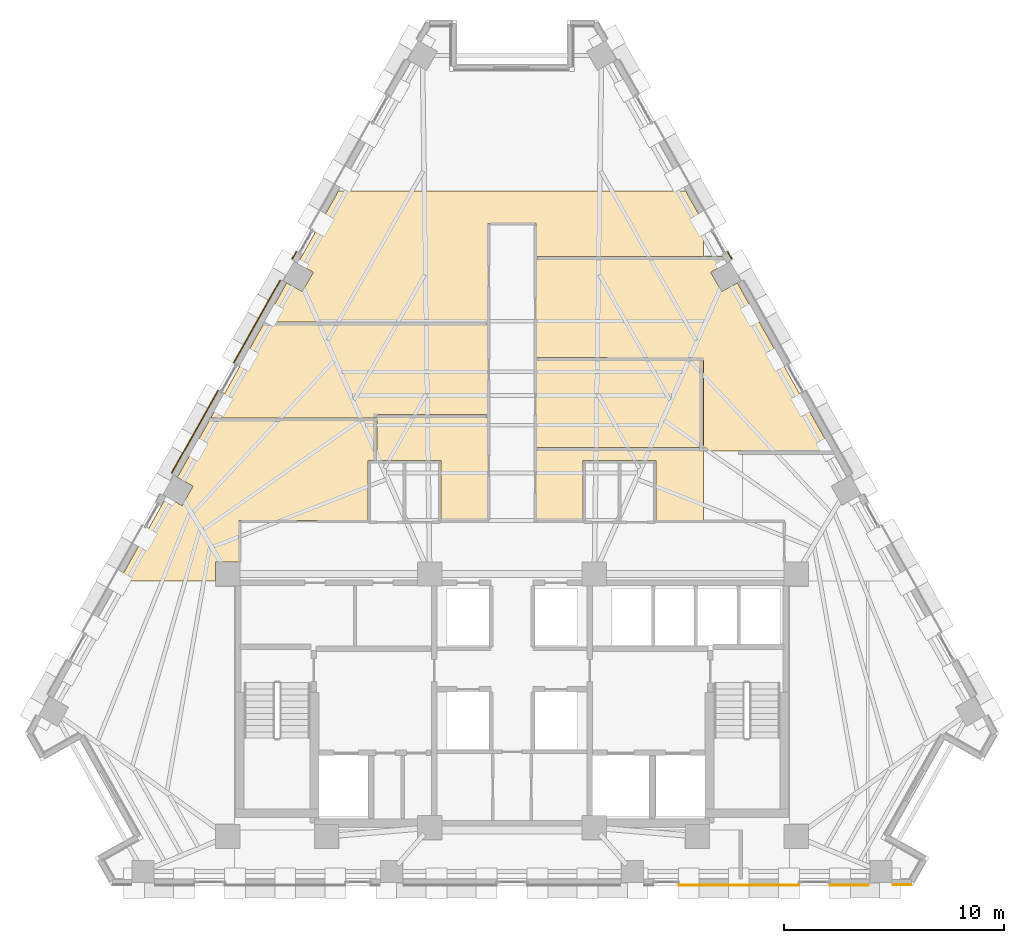
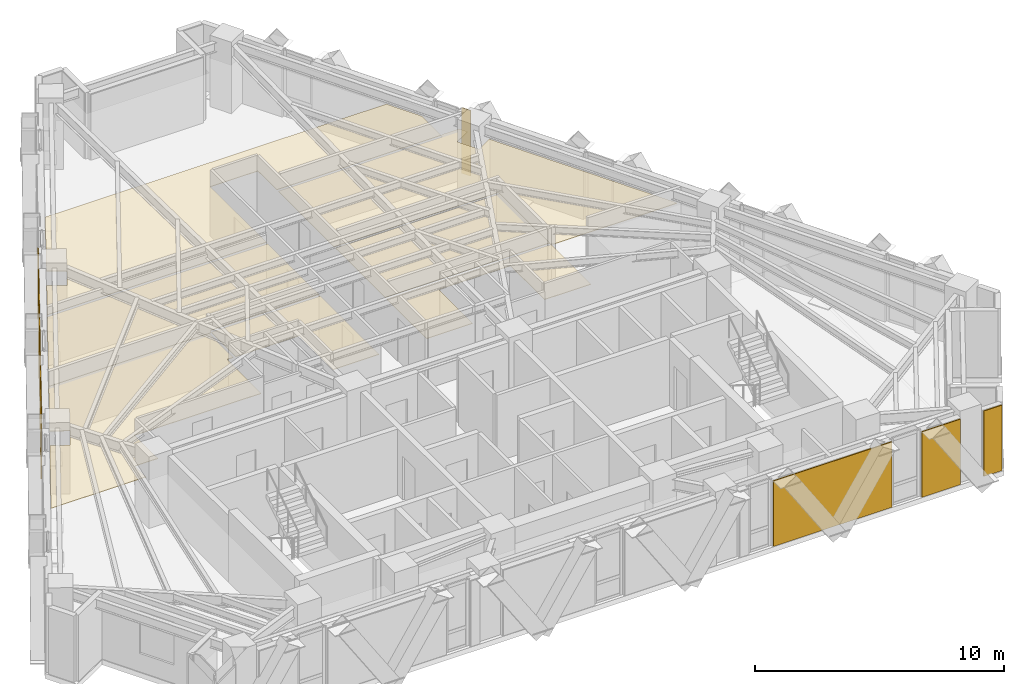
# One storey, part 12 of 14: 14 coverings.
"""IFC4 building model written with IfcOpenShell, lengths in metres."""

import ifcopenshell
import ifcopenshell.guid

model = None  # the IFC model being written
_history = None  # IfcOwnerHistory: only IFC2X3 demands one
_inside = {}  # id of a spatial element -> (the spatial element, [elements in it])
_under = {}  # id of a project, library or spatial element -> (it, [spatial elements below it])
_declared = {}  # id of a project -> (the project, [libraries it declares])
_typed = {}  # id of a type object -> (the type object, [elements of that type])
_made_of = {}  # id of a material, layer set ... -> (it, [elements and type objects made of it])


def new_model(schema):
    """Start an empty IFC model of exactly this schema.

    Asked for "IFC4X3", IfcOpenShell would pick the latest addendum, in which some entities
    have other attributes; the version numbers below select the first issue.
    IFC2X3 requires an IfcOwnerHistory on every rooted entity: one is made here for all.
    """
    global model, _history
    if schema == "IFC4X3":
        model = ifcopenshell.file(schema_version=(4, 3, 0, 0))
    else:
        model = ifcopenshell.file(schema=schema)
    _inside.clear()
    _under.clear()
    _declared.clear()
    _typed.clear()
    _made_of.clear()
    _history = None
    if model.schema == "IFC2X3":
        org = make("IfcOrganization", Name="unknown")
        user = make(
            "IfcPersonAndOrganization",
            ThePerson=make("IfcPerson", FamilyName="unknown"),
            TheOrganization=org,
        )
        app = make(
            "IfcApplication",
            ApplicationDeveloper=org,
            Version="unknown",
            ApplicationFullName="unknown",
            ApplicationIdentifier="unknown",
        )
        _history = make(
            "IfcOwnerHistory",
            OwningUser=user,
            OwningApplication=app,
            ChangeAction="ADDED",
            CreationDate=0,
        )
    return model


def make(cls, **values):
    """One entity of the class cls with the attributes given. An attribute that is None is left unset."""
    return model.create_entity(
        cls, **{name: value for name, value in values.items() if value is not None}
    )


def rooted(cls, **values):
    """An entity with a GlobalId (a new one), such as an element, a storey or a relation."""
    return make(cls, GlobalId=ifcopenshell.guid.new(), OwnerHistory=_history, **values)


def si_unit(unit_type, name, prefix=None):
    """IfcSIUnit, for example si_unit("LENGTHUNIT", "METRE", prefix="MILLI")."""
    return make("IfcSIUnit", UnitType=unit_type, Prefix=prefix, Name=name)


def assignment(units):
    """IfcUnitAssignment: the units of a project."""
    return None if units is None else make("IfcUnitAssignment", Units=units)


def point(xyz):
    """IfcCartesianPoint."""
    return None if xyz is None else make("IfcCartesianPoint", Coordinates=xyz)


def direction(xyz):
    """IfcDirection."""
    return None if xyz is None else make("IfcDirection", DirectionRatios=xyz)


def frame(location, z_axis=None, x_axis=None):
    """IfcAxis2Placement3D, a coordinate frame: its origin and axes. An axis left out is left unset."""
    return make(
        "IfcAxis2Placement3D",
        Location=point(location),
        Axis=direction(z_axis),
        RefDirection=direction(x_axis),
    )


def origin():
    """The frame at (0, 0, 0) with its axes left unset."""
    return frame((0.0, 0.0, 0.0))


def place(relative_to, where):
    """IfcLocalPlacement: puts the frame where relative to a parent placement (None: the world)."""
    return make(
        "IfcLocalPlacement", PlacementRelTo=relative_to, RelativePlacement=where
    )


def context(
    kind, dimensions, precision=None, world=None, true_north=None, identifier=None
):
    """IfcGeometricRepresentationContext, for example the 3D "Model" context."""
    return make(
        "IfcGeometricRepresentationContext",
        ContextIdentifier=identifier,
        ContextType=kind,
        CoordinateSpaceDimension=dimensions,
        Precision=precision,
        WorldCoordinateSystem=world,
        TrueNorth=true_north,
    )


def subcontext(parent, identifier, kind, view, scale=None):
    """IfcGeometricRepresentationSubContext, for example "Body" below "Model"."""
    return make(
        "IfcGeometricRepresentationSubContext",
        ContextIdentifier=identifier,
        ContextType=kind,
        ParentContext=parent,
        TargetScale=scale,
        TargetView=view,
    )


def project(units=None, contexts=None):
    """IfcProject with its units and contexts."""
    return rooted(
        "IfcProject",
        Name="project",
        RepresentationContexts=contexts,
        UnitsInContext=assignment(units),
    )


def spatial(cls, under=None, at=None, **own):
    """A site, building, storey or space (cls), placed at a placement, below another one or the project."""
    s = rooted(cls, ObjectPlacement=at, **own)
    if under is not None:
        _under.setdefault(under.id(), (under, []))[1].append(s)
    return s


def polyline(points):
    """IfcPolyline through the points."""
    return make("IfcPolyline", Points=[point(p) for p in points])


def outline(outer, holes=None, kind="AREA"):
    """IfcArbitraryClosedProfileDef: a profile drawn as a closed curve; with holes, ...WithVoids."""
    if holes is None:
        return make("IfcArbitraryClosedProfileDef", ProfileType=kind, OuterCurve=outer)
    return make(
        "IfcArbitraryProfileDefWithVoids",
        ProfileType=kind,
        OuterCurve=outer,
        InnerCurves=holes,
    )


def extrude(swept, where, along, depth):
    """IfcExtrudedAreaSolid: the profile swept, set in the frame where, extruded along a direction by depth."""
    return make(
        "IfcExtrudedAreaSolid",
        SweptArea=swept,
        Position=where,
        ExtrudedDirection=direction(along),
        Depth=depth,
    )


def shape(context_of_items, identifier, shape_type, items):
    """IfcShapeRepresentation: the items that make up one representation, for example the "Body"."""
    return make(
        "IfcShapeRepresentation",
        ContextOfItems=context_of_items,
        RepresentationIdentifier=identifier,
        RepresentationType=shape_type,
        Items=items,
    )


def material(Name=None, Category=None):
    """IfcMaterial."""
    return make("IfcMaterial", Name=Name, Category=Category)


def layer(
    of_material, thickness, ventilated=None, Name=None, Category=None, Priority=None
):
    """IfcMaterialLayer: one layer of a wall or slab, of a material (None: an air gap)."""
    return make(
        "IfcMaterialLayer",
        Material=of_material,
        LayerThickness=thickness,
        IsVentilated=ventilated,
        Name=Name,
        Category=Category,
        Priority=Priority,
    )


def layer_set(layers, Name=None):
    """IfcMaterialLayerSet."""
    return make("IfcMaterialLayerSet", MaterialLayers=layers, LayerSetName=Name)


def made_of(thing, what):
    """Note that an element or type object is made of a material, layer set ...; save() writes the relation."""
    if what is not None:
        _made_of.setdefault(what.id(), (what, []))[1].append(thing)
    return thing


def type_object(cls, material=None, **own):
    """A type object (cls), such as IfcWallType, which elements share."""
    return made_of(rooted(cls, **own), material)


def element(
    cls,
    number,
    at=None,
    inside=None,
    cuts=None,
    type_object=None,
    material=None,
    context=None,
    identifier="Body",
    shape_type=None,
    held_by="IfcProductDefinitionShape",
    body=None,
    shapes=None,
    **own,
):
    """One element of the class cls, such as IfcWall. Its Tag is "e" and its number.

    at: its placement. inside: the storey or other place that contains it. cuts: it is an
    opening in that element (IfcRelVoidsElement). A single representation is given by context,
    identifier, shape_type and body (its items); several are given by shapes. held_by: the class
    of the entity that holds the representations. save() writes the other relations.
    """
    e = rooted(cls, Tag="e%d" % number, ObjectPlacement=at, **own)
    if body is not None:
        shapes = [shape(context, identifier, shape_type, body)]
    if shapes is not None:
        e.Representation = make(held_by, Representations=shapes)
    if inside is not None:
        _inside.setdefault(inside.id(), (inside, []))[1].append(e)
    if cuts is not None:
        rooted(
            "IfcRelVoidsElement", RelatingBuildingElement=cuts, RelatedOpeningElement=e
        )
    if type_object is not None:
        _typed.setdefault(type_object.id(), (type_object, []))[1].append(e)
    return made_of(e, material)


def aggregate(whole, parts):
    """IfcRelAggregates: a whole, such as a stair, and the parts it consists of."""
    return rooted("IfcRelAggregates", RelatingObject=whole, RelatedObjects=parts)


def save(model, path):
    """Write the relations noted so far, then the file.

    IfcRelAggregates (storeys below a building ...), IfcRelContainedInSpatialStructure (elements
    in a storey), IfcRelDefinesByType, IfcRelAssociatesMaterial and IfcRelDeclares: one each for
    every whole, place, type object, material and project.
    """
    for whole, parts in _under.values():
        aggregate(whole, parts)
    for where, things in _inside.values():
        rooted(
            "IfcRelContainedInSpatialStructure",
            RelatedElements=things,
            RelatingStructure=where,
        )
    for kind, things in _typed.values():
        rooted("IfcRelDefinesByType", RelatedObjects=things, RelatingType=kind)
    for what, things in _made_of.values():
        rooted("IfcRelAssociatesMaterial", RelatedObjects=things, RelatingMaterial=what)
    for by, libraries in _declared.values():
        rooted("IfcRelDeclares", RelatingContext=by, RelatedDefinitions=libraries)
    model.write(path)


model = new_model("IFC4")

# Units and contexts
model_context = context("Model", 3, precision=1e-05, world=origin(), true_north=direction((0.0, 1.0)))
body_context = subcontext(model_context, "Body", "Model", "MODEL_VIEW")
ifc_project = project(units=[si_unit("LENGTHUNIT", "METRE"), si_unit("AREAUNIT", "SQUARE_METRE"), si_unit("VOLUMEUNIT", "CUBIC_METRE"), si_unit("PLANEANGLEUNIT", "RADIAN"), si_unit("MASSUNIT", "GRAM", prefix="KILO")], contexts=[model_context])

# Site, building, storey
site_placement = place(None, origin())
site = spatial("IfcSite", under=ifc_project, at=site_placement, CompositionType="ELEMENT")
building_placement = place(site_placement, origin())
building = spatial("IfcBuilding", under=site, at=building_placement, Name="Quenlor Broadcast Tower", CompositionType="ELEMENT")
storey_placement = place(building_placement, frame((0.0, 0.0, 140.5)))
storey = spatial("IfcBuildingStorey", under=building, at=storey_placement, Name="L38", CompositionType="ELEMENT", Elevation=140.5)

# Coverings
ifc_material_1 = material(Name="Acoustic Mineral Fibre Board", Category="other")
ifc_layer_1 = layer(ifc_material_1, 0.02490234375)
ifc_layer_set_1 = layer_set([ifc_layer_1], Name="Acoustic Perforated Mineral Tile Ceiling 25")
covering_type_1 = type_object("IfcCoveringType", Name="Acoustic Perforated Mineral Tile Ceiling 25", PredefinedType="CEILING", material=ifc_layer_set_1)
covering_1_placement = place(storey_placement, frame((0.0, 0.0, 2.375)))
element("IfcCovering", 1, at=covering_1_placement, inside=storey, type_object=covering_type_1, Name="L38 Acoustic Ceiling L38-31", PredefinedType="CEILING", context=body_context, shape_type="SweptSolid", body=[
    extrude(outline(polyline([(8.719970703125, 11.204345703125), (8.719970703125, 9.659912109375), (1.10009765625, 9.659912109375), (1.10009765625, 11.179931640625), (-1.10009765625, 11.179931640625), (-1.10009765625, 6.685302734375), (-11.261962890625, 6.685302734375), (-10.26220703125, 8.46240234375), (-9.54931640625, 8.0615234375), (-9.05126953125, 8.947021484375), (-9.76416015625, 9.347900390625), (-7.90673828125, 12.64990234375), (7.90673828125, 12.64990234375), (8.719970703125, 11.204345703125)])), origin(), (0.0, 0.0, 1.0), 0.02490234375),
])
covering_2_placement = place(storey_placement, frame((0.0, 0.0, 2.375)))
element("IfcCovering", 2, at=covering_2_placement, inside=storey, type_object=covering_type_1, Name="L38 Acoustic Ceiling L38-32", PredefinedType="CEILING", context=body_context, shape_type="SweptSolid", body=[
    extrude(outline(polyline([(14.482421875, 0.81005859375), (8.840087890625, 0.81005859375), (8.810791015625, 0.81298828125), (8.78271484375, 0.8212890625), (8.756591796875, 0.835205078125), (8.73388671875, 0.85400390625), (8.71533203125, 0.876708984375), (8.701416015625, 0.902587890625), (8.69287109375, 0.9306640625), (8.68994140625, 0.9599609375), (8.68994140625, 4.93994140625), (8.69287109375, 4.96923828125), (8.701416015625, 4.997314453125), (8.696533203125, 5.0166015625), (8.690673828125, 5.04541015625), (1.10009765625, 5.06005859375), (1.10009765625, 9.5400390625), (8.68994140625, 9.5400390625), (8.69287109375, 9.5693359375), (8.701416015625, 9.597412109375), (8.71533203125, 9.623291015625), (8.73388671875, 9.64599609375), (8.756591796875, 9.664794921875), (8.78271484375, 9.6787109375), (8.810791015625, 9.68701171875), (8.840087890625, 9.68994140625), (9.57177734375, 9.68994140625), (9.76416015625, 9.347900390625), (9.05126953125, 8.947021484375), (9.54931640625, 8.0615234375), (10.26220703125, 8.46240234375), (12.052978515625, 5.27880859375), (12.1591796875, 5.090087890625), (14.555908203125, 0.829345703125), (14.540283203125, 0.82177734375), (14.511962890625, 0.81298828125), (14.482421875, 0.81005859375)])), origin(), (0.0, 0.0, 1.0), 0.02490234375),
])
covering_3_placement = place(storey_placement, frame((0.0, 0.0, 2.375)))
element("IfcCovering", 3, at=covering_3_placement, inside=storey, type_object=covering_type_1, Name="L38 Acoustic Ceiling L38-33", PredefinedType="CEILING", context=body_context, shape_type="SweptSolid", body=[
    extrude(outline(polyline([(-6.141357421875, 2.402587890625), (-6.1552734375, 2.376708984375), (-6.173828125, 2.35400390625), (-6.19677734375, 2.335205078125), (-6.22265625, 2.3212890625), (-6.250732421875, 2.31298828125), (-6.280029296875, 2.31005859375), (-13.638671875, 2.31005859375), (-13.668212890625, 2.31298828125), (-13.696533203125, 2.32177734375), (-13.712158203125, 2.329345703125), (-11.329345703125, 6.565185546875), (-1.10009765625, 6.565185546875), (-1.10009765625, 2.4599609375), (-6.1298828125, 2.4599609375), (-6.1328125, 2.4306640625), (-6.141357421875, 2.402587890625)])), origin(), (0.0, 0.0, 1.0), 0.02490234375),
])
covering_4_placement = place(storey_placement, frame((0.0, 0.0, 2.375)))
element("IfcCovering", 4, at=covering_4_placement, inside=storey, type_object=covering_type_1, Name="L38 Acoustic Ceiling L38-34", PredefinedType="CEILING", context=body_context, shape_type="SweptSolid", body=[
    extrude(outline(polyline([(1.10009765625, 0.9599609375), (1.10009765625, 4.93994140625), (8.719970703125, 4.93994140625), (8.719970703125, 0.9599609375), (1.10009765625, 0.9599609375)])), origin(), (0.0, 0.0, 1.0), 0.02490234375),
])
covering_5_placement = place(storey_placement, frame((0.0, 0.0, 2.375)))
element("IfcCovering", 5, at=covering_5_placement, inside=storey, type_object=covering_type_1, Name="L38 Acoustic Ceiling L38-35", PredefinedType="CEILING", context=body_context, shape_type="SweptSolid", body=[
    extrude(outline(polyline([(-6.159912109375, 0.3701171875), (-6.159912109375, 2.340087890625), (-1.10009765625, 2.340087890625), (-1.10009765625, -2.3701171875), (-3.22998046875, -2.3701171875), (-3.22998046875, 0.3701171875), (-6.159912109375, 0.3701171875)])), origin(), (0.0, 0.0, 1.0), 0.02490234375),
])
covering_6_placement = place(storey_placement, frame((0.0, 0.0, 2.375)))
element("IfcCovering", 6, at=covering_6_placement, inside=storey, type_object=covering_type_1, Name="L38 Acoustic Ceiling L38-36", PredefinedType="CEILING", context=body_context, shape_type="SweptSolid", body=[
    extrude(outline(polyline([(3.22998046875, -2.3701171875), (1.10009765625, -2.3701171875), (1.10009765625, 0.840087890625), (8.719970703125, 0.840087890625), (8.719970703125, -2.3701171875), (6.570068359375, -2.3701171875), (6.570068359375, 0.3701171875), (3.22998046875, 0.3701171875), (3.22998046875, -2.3701171875)])), origin(), (0.0, 0.0, 1.0), 0.02490234375),
])
covering_7_placement = place(storey_placement, frame((0.0, 0.0, 2.375)))
element("IfcCovering", 7, at=covering_7_placement, inside=storey, type_object=covering_type_1, Name="L38 Acoustic Ceiling L38-38", PredefinedType="CEILING", context=body_context, shape_type="SweptSolid", body=[
    extrude(outline(polyline([(-15.7431640625, -1.281494140625), (-15.0302734375, -1.6826171875), (-14.5322265625, -0.797119140625), (-15.2451171875, -0.39599609375), (-13.706298828125, 2.340087890625), (-6.280029296875, 2.340087890625), (-6.280029296875, 0.3701171875), (-6.570068359375, 0.3701171875), (-6.570068359375, -2.3701171875), (-12.43994140625, -2.3701171875), (-12.43994140625, -4.241943359375), (-13.508056640625, -4.241943359375), (-13.508056640625, -5.1201171875), (-17.90234375, -5.1201171875), (-15.7431640625, -1.281494140625)])), origin(), (0.0, 0.0, 1.0), 0.02490234375),
])
ifc_material_2 = material(Name="Architectural Terracotta Ceramic", Category="masonry")
ifc_layer_2 = layer(ifc_material_2, 0.044921875)
ifc_layer_set_2 = layer_set([ifc_layer_2], Name="Fluted Terracotta Rainscreen Cladding Panel")
covering_type_2 = type_object("IfcCoveringType", Name="Fluted Terracotta Rainscreen Cladding Panel", PredefinedType="CLADDING", material=ifc_layer_set_2)
covering_8_placement = place(storey_placement, frame((0.0, 0.0, 0.02001953125)))
element("IfcCovering", 8, at=covering_8_placement, inside=storey, type_object=covering_type_2, Name="L38 Terracotta Rainscreen Cladding L38-SHD-SS0", PredefinedType="CLADDING", context=body_context, shape_type="SweptSolid", body=[
    extrude(outline(polyline([(18.179931640625, -18.93701171875), (17.343505859375, -18.93701171875), (17.343505859375, -18.98193359375), (18.179931640625, -18.98193359375), (18.179931640625, -18.93701171875)])), origin(), (0.0, 0.0, 1.0), 3.2099609375),
])
covering_9_placement = place(storey_placement, frame((0.0, 0.0, 0.02001953125)))
element("IfcCovering", 9, at=covering_9_placement, inside=storey, type_object=covering_type_2, Name="L38 Terracotta Rainscreen Cladding L38-SA-SP1", PredefinedType="CLADDING", context=body_context, shape_type="SweptSolid", body=[
    extrude(outline(polyline([(16.25341796875, -18.95703125), (14.47509765625, -18.95703125), (14.47509765625, -19.001953125), (16.25341796875, -19.001953125), (16.25341796875, -18.95703125)])), origin(), (0.0, 0.0, 1.0), 3.2099609375),
])
covering_10_placement = place(storey_placement, frame((0.0, 0.0, 0.02001953125)))
element("IfcCovering", 10, at=covering_10_placement, inside=storey, type_object=covering_type_2, Name="L38 Terracotta Rainscreen Cladding L38-SA-SP2", PredefinedType="CLADDING", context=body_context, shape_type="SweptSolid", body=[
    extrude(outline(polyline([(13.076904296875, -18.95703125), (7.5869140625, -18.95703125), (7.5869140625, -19.001953125), (13.076904296875, -19.001953125), (13.076904296875, -18.95703125)])), origin(), (0.0, 0.0, 1.0), 3.2099609375),
])
covering_11_placement = place(storey_placement, frame((0.0, 0.0, 0.02001953125)))
element("IfcCovering", 11, at=covering_11_placement, inside=storey, type_object=covering_type_2, Name="L38 Terracotta Rainscreen Cladding L38-NEA-SP3", PredefinedType="CLADDING", context=body_context, shape_type="SweptSolid", body=[
    extrude(outline(polyline([(9.803955078125, 9.88330078125), (10.0, 9.53466796875), (10.039306640625, 9.556640625), (9.843017578125, 9.9052734375), (9.803955078125, 9.88330078125)])), origin(), (0.0, 0.0, 1.0), 3.2099609375),
])
covering_12_placement = place(storey_placement, frame((0.0, 0.0, 0.02001953125)))
element("IfcCovering", 12, at=covering_12_placement, inside=storey, type_object=covering_type_2, Name="L38 Terracotta Rainscreen Cladding L38-NWC-SP1", PredefinedType="CLADDING", context=body_context, shape_type="SweptSolid", body=[
    extrude(outline(polyline([(-10.0, 9.53466796875), (-9.803955078125, 9.88330078125), (-9.843017578125, 9.9052734375), (-10.039306640625, 9.556640625), (-10.0, 9.53466796875)])), origin(), (0.0, 0.0, 1.0), 3.2099609375),
])
covering_13_placement = place(storey_placement, frame((0.0, 0.0, 0.02001953125)))
element("IfcCovering", 13, at=covering_13_placement, inside=storey, type_object=covering_type_2, Name="L38 Terracotta Rainscreen Cladding L38-NW-SP1", PredefinedType="CLADDING", context=body_context, shape_type="SweptSolid", body=[
    extrude(outline(polyline([(-15.4833984375, -0.213623046875), (-13.367919921875, 3.547119140625), (-13.4072265625, 3.569091796875), (-15.522705078125, -0.191650390625), (-15.4833984375, -0.213623046875)])), origin(), (0.0, 0.0, 1.0), 3.2099609375),
])
covering_14_placement = place(storey_placement, frame((0.0, 0.0, 0.02001953125)))
element("IfcCovering", 14, at=covering_14_placement, inside=storey, type_object=covering_type_2, Name="L38 Terracotta Rainscreen Cladding L38-NW-SP2", PredefinedType="CLADDING", context=body_context, shape_type="SweptSolid", body=[
    extrude(outline(polyline([(-12.656982421875, 4.810791015625), (-10.541748046875, 8.571533203125), (-10.580810546875, 8.593505859375), (-12.6962890625, 4.832763671875), (-12.656982421875, 4.810791015625)])), origin(), (0.0, 0.0, 1.0), 3.2099609375),
])

save(model, "model.ifc")
